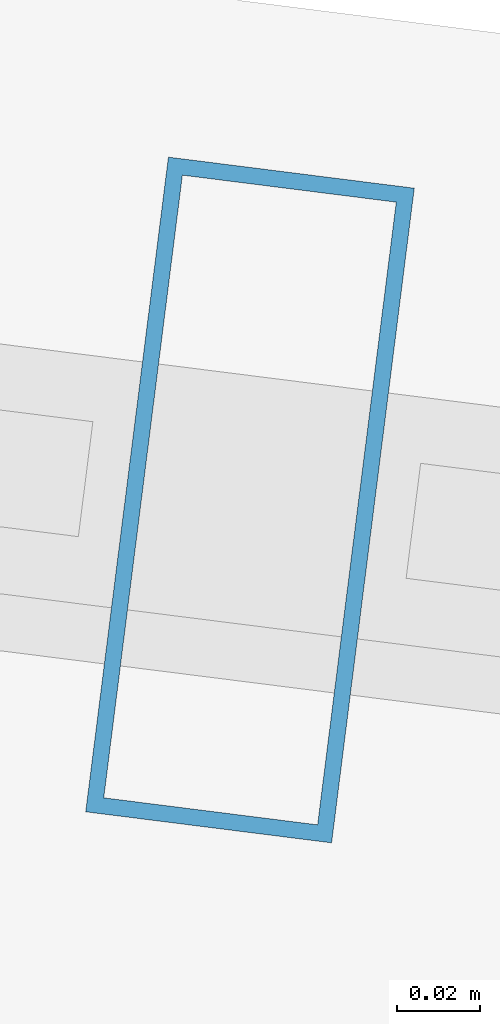
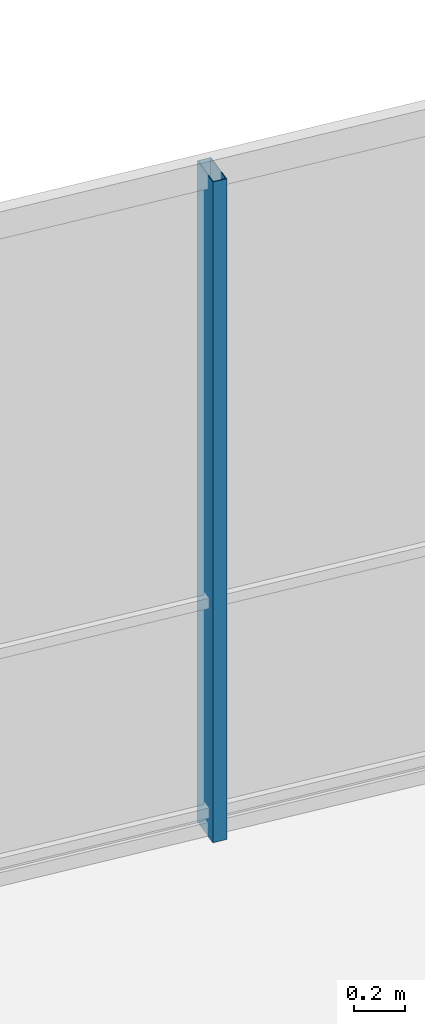
# One storey, part 22 of 30: 1 member, 1 element without a shape of its own.
"""IFC4 building model written with IfcOpenShell, lengths in metres."""

from ifc_helpers import new_model, si_unit, direction, frame, origin, origin_2d, place, context, subcontext, project, spatial, hollow_rectangle, extrude, material, layer, layer_set, material_profile, profile_set, type_object, element, aggregate, save


model = new_model("IFC4")

# Units and contexts
model_context = context("Model", 3, precision=1e-05, world=origin(), true_north=direction((0.0, 1.0)))
body_context = subcontext(model_context, "Body", "Model", "MODEL_VIEW")
ifc_project = project(units=[si_unit("LENGTHUNIT", "METRE"), si_unit("AREAUNIT", "SQUARE_METRE"), si_unit("VOLUMEUNIT", "CUBIC_METRE"), si_unit("PLANEANGLEUNIT", "RADIAN"), si_unit("MASSUNIT", "GRAM", prefix="KILO")], contexts=[model_context])

# Site, building, storey
site_placement = place(None, origin())
site = spatial("IfcSite", under=ifc_project, at=site_placement, CompositionType="ELEMENT")
building_placement = place(site_placement, origin())
building = spatial("IfcBuilding", under=site, at=building_placement, Name="Qarnah Convention Tower", CompositionType="ELEMENT")
storey_placement = place(building_placement, frame((0.0, 0.0, 40.800048828125)))
storey = spatial("IfcBuildingStorey", under=building, at=storey_placement, Name="L09", CompositionType="ELEMENT", Elevation=40.800048828125)

# Curtain wall, member
ifc_material_1 = material(Name="Tempered Low-E dark glass", Category="glass")
ifc_layer = layer(ifc_material_1, 0.16796875)
ifc_layer_set = layer_set([ifc_layer], Name="Tempered Low-E dark glass")
curtain_wall_type = type_object("IfcCurtainWallType", Name="CWS-01", PredefinedType="NOTDEFINED", material=ifc_layer_set)
curtain_wall_placement = place(storey_placement, origin())
curtain_wall = element("IfcCurtainWall", 1, at=curtain_wall_placement, inside=storey, type_object=curtain_wall_type, Name="L09 unitised curtain wall CW-L09-F2", PredefinedType="NOTDEFINED")
ifc_material_2 = material(Name="Black anodised aluminium", Category="aluminium")
ifc_material_profile = material_profile(ifc_material_2, hollow_rectangle(XDim=0.06005859375, YDim=0.159912109375, WallThickness=0.00390625, at=origin_2d()), Name="MUL-60X160")
ifc_profile_set = profile_set([ifc_material_profile], Name="Black anodised aluminium")
member_type = type_object("IfcMemberType", Name="MUL-T1", PredefinedType="MULLION", material=ifc_profile_set)
member_placement = place(storey_placement, frame((44.3134765625, 44.416259765625, 0.0), z_axis=(0.0, 0.0, 1.0), x_axis=(0.992116488383, -0.125319086651, 0.0)))
member = element("IfcMember", 2, at=member_placement, type_object=member_type, Name="CW-L09-F2 mullion 4", PredefinedType="MULLION", context=body_context, shape_type="SweptSolid", body=[
    extrude(hollow_rectangle(XDim=0.06005859375, YDim=0.159912109375, WallThickness=0.00390625, at=origin_2d()), origin(), (0.0, 0.0, 1.0), 3.169921875),
])
aggregate(curtain_wall, [member])

save(model, "model.ifc")
